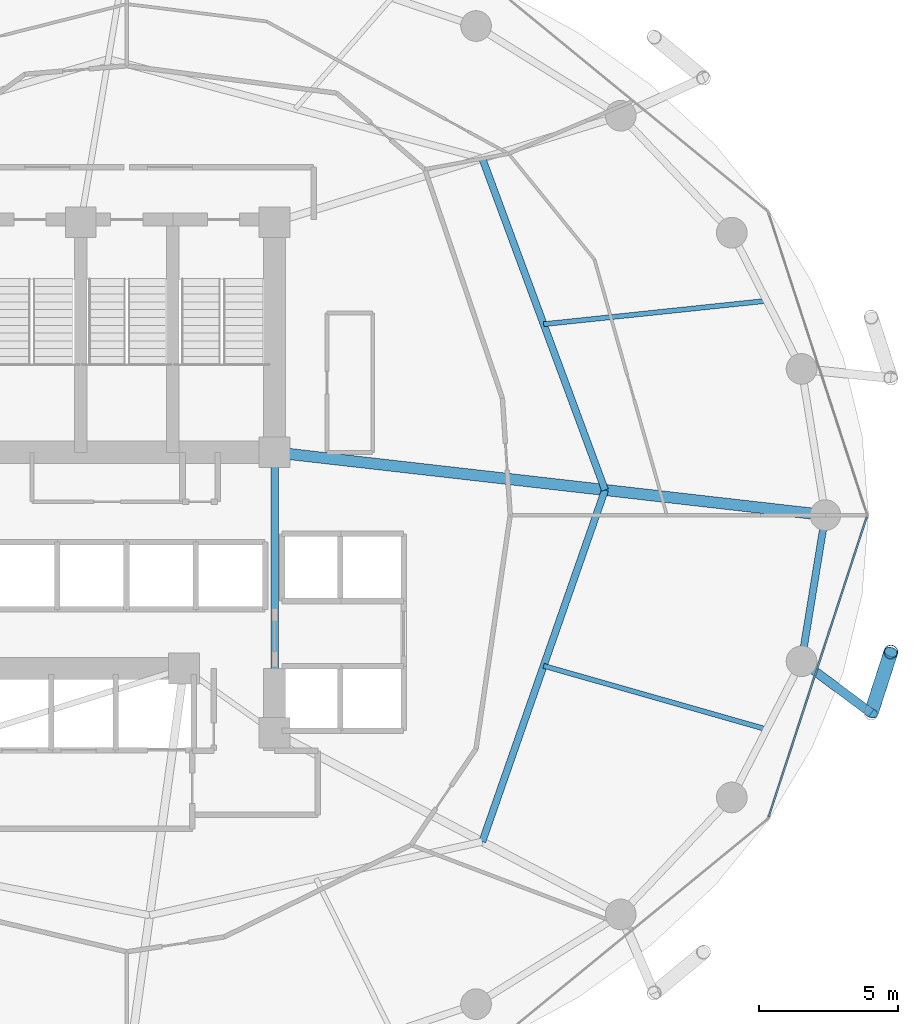
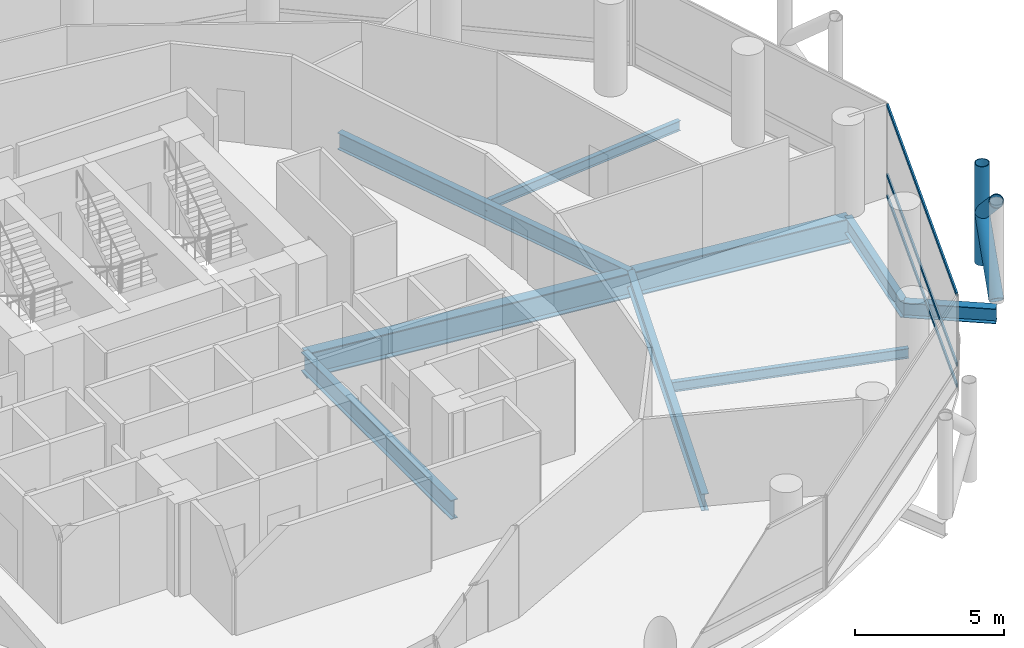
# One storey, part 11 of 25: 8 beams, 6 members, 1 element without a shape of its own.
"""IFC4 building model written with IfcOpenShell, lengths in metres."""

from ifc_helpers import new_model, si_unit, direction, frame, origin, origin_2d, place, context, subcontext, project, spatial, hollow_rectangle, hollow_circle, i_section, extrude, material, layer, layer_set, material_profile, profile_set, type_object, element, aggregate, save


model = new_model("IFC4")

# Units and contexts
model_context = context("Model", 3, precision=1e-05, world=origin(), true_north=direction((0.0, 1.0)))
body_context = subcontext(model_context, "Body", "Model", "MODEL_VIEW")
ifc_project = project(units=[si_unit("LENGTHUNIT", "METRE"), si_unit("AREAUNIT", "SQUARE_METRE"), si_unit("VOLUMEUNIT", "CUBIC_METRE"), si_unit("PLANEANGLEUNIT", "RADIAN"), si_unit("MASSUNIT", "GRAM", prefix="KILO")], contexts=[model_context])

# Site, building, storey
site_placement = place(None, origin())
site = spatial("IfcSite", under=ifc_project, at=site_placement, CompositionType="ELEMENT")
building_placement = place(site_placement, origin())
building = spatial("IfcBuilding", under=site, at=building_placement, Name="Nuhasar Tower", CompositionType="ELEMENT")
storey_placement = place(building_placement, frame((0.0, 0.0, 49.35009765625)))
storey = spatial("IfcBuildingStorey", under=building, at=storey_placement, Name="L11", CompositionType="ELEMENT", Elevation=49.35009765625)

# Beams
ifc_material_1 = material(Name="Steel S355", Category="steel")
ifc_material_profile_1 = material_profile(ifc_material_1, i_section(OverallWidth=0.25390625, OverallDepth=0.68408203125, WebThickness=0.012451171875, FlangeThickness=0.018798828125, at=origin_2d()), Name="W27X94")
ifc_profile_set_1 = profile_set([ifc_material_profile_1], Name="Steel S355")
beam_type_1 = type_object("IfcBeamType", Name="BM-INRING-W27X94", PredefinedType="BEAM", material=ifc_profile_set_1)
beam_1_placement = place(storey_placement, frame((51.748046875, 15.089111328125, -0.60205078125), z_axis=(0.329554049858, 0.944136710558, 0.0), x_axis=(-0.944136710558, 0.329554049858, 0.0)))
element("IfcBeam", 1, at=beam_1_placement, inside=storey, type_object=beam_type_1, Name="L11 Inner Header Beam 03", PredefinedType="BEAM", context=body_context, shape_type="SweptSolid", body=[
    extrude(i_section(OverallWidth=0.25390625, OverallDepth=0.68408203125, WebThickness=0.012451171875, FlangeThickness=0.018798828125, at=origin_2d()), origin(), (0.0, 0.0, 1.0), 13.35693359375),
])
beam_2_placement = place(storey_placement, frame((56.14990234375, 27.699951171875, -0.60205078125), z_axis=(-0.34715757476, 0.937806812881, 0.0), x_axis=(-0.937806812881, -0.34715757476, 0.0)))
element("IfcBeam", 2, at=beam_2_placement, inside=storey, type_object=beam_type_1, Name="L11 Inner Header Beam 04", PredefinedType="BEAM", context=body_context, shape_type="SweptSolid", body=[
    extrude(i_section(OverallWidth=0.25390625, OverallDepth=0.68408203125, WebThickness=0.012451171875, FlangeThickness=0.018798828125, at=origin_2d()), origin(), (0.0, 0.0, 1.0), 12.6796875),
])
ifc_material_profile_2 = material_profile(ifc_material_1, i_section(OverallWidth=0.177978515625, OverallDepth=0.406005859375, WebThickness=0.0078125, FlangeThickness=0.0126953125, at=origin_2d()), Name="W16X40")
ifc_profile_set_2 = profile_set([ifc_material_profile_2], Name="Steel S355")
beam_type_2 = type_object("IfcBeamType", Name="BM-JST-W16X40", PredefinedType="JOIST", material=ifc_profile_set_2)
beam_3_placement = place(storey_placement, frame((53.948974609375, 21.39501953125, -0.463134765625), z_axis=(0.961730884496, -0.273995813484, 0.0), x_axis=(0.273995813484, 0.961730884496, 0.0)))
element("IfcBeam", 3, at=beam_3_placement, inside=storey, type_object=beam_type_2, Name="L11 Secondary Floor Joist 03", PredefinedType="JOIST", context=body_context, shape_type="SweptSolid", body=[
    extrude(i_section(OverallWidth=0.177978515625, OverallDepth=0.406005859375, WebThickness=0.0078125, FlangeThickness=0.0126953125, at=origin_2d()), origin(), (0.0, 0.0, 1.0), 8.314208984375),
])
beam_4_placement = place(storey_placement, frame((53.948974609375, 33.64501953125, -0.463134765625), z_axis=(0.994554594377, 0.104216883485, 0.0), x_axis=(-0.104216883485, 0.994554594377, 0.0)))
element("IfcBeam", 4, at=beam_4_placement, inside=storey, type_object=beam_type_2, Name="L11 Secondary Floor Joist 04", PredefinedType="JOIST", context=body_context, shape_type="SweptSolid", body=[
    extrude(i_section(OverallWidth=0.177978515625, OverallDepth=0.406005859375, WebThickness=0.0078125, FlangeThickness=0.0126953125, at=origin_2d()), origin(), (0.0, 0.0, 1.0), 8.039794921875),
])
ifc_material_profile_3 = material_profile(ifc_material_1, i_section(OverallWidth=0.26611328125, OverallDepth=0.779052734375, WebThickness=0.0166015625, FlangeThickness=0.030029296875, at=origin_2d()), Name="W30X148")
ifc_profile_set_3 = profile_set([ifc_material_profile_3], Name="Steel S355")
beam_type_3 = type_object("IfcBeamType", Name="BM-RAD-W30X148", PredefinedType="BEAM", material=ifc_profile_set_3)
beam_5_placement = place(storey_placement, frame((44.300048828125, 19.0, -0.649169921875), z_axis=(0.0, 1.0, 0.0), x_axis=(-1.0, 0.0, 0.0)))
element("IfcBeam", 5, at=beam_5_placement, inside=storey, type_object=beam_type_3, Name="L11 Core Ring Girder 3", PredefinedType="BEAM", context=body_context, shape_type="SweptSolid", body=[
    extrude(i_section(OverallWidth=0.26611328125, OverallDepth=0.779052734375, WebThickness=0.0166015625, FlangeThickness=0.030029296875, at=origin_2d()), origin(), (0.0, 0.0, 1.0), 10.050048828125),
])
ifc_material_profile_4 = material_profile(ifc_material_1, i_section(OverallWidth=0.256103515625, OverallDepth=0.693115234375, WebThickness=0.014404296875, FlangeThickness=0.023681640625, at=origin_2d()), Name="W27X114")
ifc_profile_set_4 = profile_set([ifc_material_profile_4], Name="Steel S355")
beam_type_4 = type_object("IfcBeamType", Name="BM-RING-W27X114", PredefinedType="SPANDREL", material=ifc_profile_set_4)
beam_6_placement = place(storey_placement, frame((63.196044921875, 21.55908203125, -0.606201171875), z_axis=(0.160826635486, 0.986982671235, 0.0), x_axis=(-0.986982671235, 0.160826635486, 0.0)))
element("IfcBeam", 6, at=beam_6_placement, inside=storey, type_object=beam_type_4, Name="L11 Perimeter Ring Spandrel 24", PredefinedType="SPANDREL", context=body_context, shape_type="SweptSolid", body=[
    extrude(i_section(OverallWidth=0.256103515625, OverallDepth=0.693115234375, WebThickness=0.014404296875, FlangeThickness=0.023681640625, at=origin_2d()), origin(), (0.0, 0.0, 1.0), 5.31005859375),
])
ifc_material_profile_5 = material_profile(ifc_material_1, i_section(OverallWidth=0.323974609375, OverallDepth=0.611083984375, WebThickness=0.0126953125, FlangeThickness=0.01904296875, at=origin_2d()), Name="W24X104")
ifc_profile_set_5 = profile_set([ifc_material_profile_5], Name="Steel S355")
beam_type_5 = type_object("IfcBeamType", Name="BM-TIE-W24X104", PredefinedType="BEAM", material=ifc_profile_set_5)
beam_7_placement = place(storey_placement, frame((63.196044921875, 21.55908203125, -0.565185546875), z_axis=(0.802113478067, -0.597171640572, 0.0), x_axis=(0.597171640572, 0.802113478067, 0.0)))
element("IfcBeam", 7, at=beam_7_placement, inside=storey, type_object=beam_type_5, Name="L11 Exoskeleton Node Tie Beam 12", PredefinedType="BEAM", context=body_context, shape_type="SweptSolid", body=[
    extrude(i_section(OverallWidth=0.323974609375, OverallDepth=0.611083984375, WebThickness=0.0126953125, FlangeThickness=0.01904296875, at=origin_2d()), origin(), (0.0, 0.0, 1.0), 3.111572265625),
])
ifc_material_2 = material(Name="Steel S460", Category="steel")
ifc_material_profile_6 = material_profile(ifc_material_2, i_section(OverallWidth=0.40087890625, OverallDepth=1.010009765625, WebThickness=0.023681640625, FlangeThickness=0.0419921875, at=origin_2d()), Name="W40X297")
ifc_profile_set_6 = profile_set([ifc_material_profile_6], Name="Steel S460")
beam_type_6 = type_object("IfcBeamType", Name="BM-XFER-W40X297", PredefinedType="USERDEFINED", material=ifc_profile_set_6)
beam_8_placement = place(storey_placement, frame((44.300048828125, 29.050048828125, -0.76513671875), z_axis=(0.993573147212, -0.113191877531, 0.0), x_axis=(0.113191877531, 0.993573147212, 0.0)))
element("IfcBeam", 8, at=beam_8_placement, inside=storey, type_object=beam_type_6, Name="L11 Radial Floor Girder 04", ObjectType="GIRDER", PredefinedType="USERDEFINED", context=body_context, shape_type="SweptSolid", body=[
    extrude(i_section(OverallWidth=0.40087890625, OverallDepth=1.010009765625, WebThickness=0.023681640625, FlangeThickness=0.0419921875, at=origin_2d()), origin(), (0.0, 0.0, 1.0), 19.877685546875),
])

# Curtain wall, members
ifc_material_3 = material(Name="Aluminium 6063-T6", Category="aluminium")
ifc_layer = layer(ifc_material_3, 0.199951171875)
ifc_layer_set = layer_set([ifc_layer], Name="Aluminium 6063-T6")
curtain_wall_type = type_object("IfcCurtainWallType", Name="CW-Z1-OFF", PredefinedType="NOTDEFINED", material=ifc_layer_set)
curtain_wall_placement = place(storey_placement, origin())
curtain_wall = element("IfcCurtainWall", 9, at=curtain_wall_placement, inside=storey, type_object=curtain_wall_type, Name="L11 Unitised Curtain Wall 12", PredefinedType="NOTDEFINED")
ifc_material_profile_7 = material_profile(ifc_material_3, hollow_rectangle(XDim=0.06494140625, YDim=0.14990234375, WallThickness=0.00439453125, at=origin_2d()), Name="CWT-2")
ifc_profile_set_7 = profile_set([ifc_material_profile_7], Name="Aluminium 6063-T6")
member_type_1 = type_object("IfcMemberType", Name="CW-TRN-S2", PredefinedType="USERDEFINED", material=ifc_profile_set_7)
member_1_placement = place(storey_placement, frame((62.022216796875, 15.981689453125, 0.032470703125), z_axis=(0.310818687697, 0.950469222741, 0.0), x_axis=(-0.950469222741, 0.310818687697, 0.0)))
member_1 = element("IfcMember", 10, at=member_1_placement, type_object=member_type_1, Name="CW-Z1 transom 1.1", ObjectType="TRANSOM", PredefinedType="USERDEFINED", context=body_context, shape_type="SweptSolid", body=[
    extrude(hollow_rectangle(XDim=0.06494140625, YDim=0.14990234375, WallThickness=0.00439453125, at=origin_2d()), origin(), (0.0, 0.0, 1.0), 11.317138671875),
])
member_2_placement = place(storey_placement, frame((62.022216796875, 15.981689453125, 0.89990234375), z_axis=(0.310818687697, 0.950469222741, 0.0), x_axis=(-0.950469222741, 0.310818687697, 0.0)))
member_2 = element("IfcMember", 11, at=member_2_placement, type_object=member_type_1, Name="CW-Z1 transom 1.2", ObjectType="TRANSOM", PredefinedType="USERDEFINED", context=body_context, shape_type="SweptSolid", body=[
    extrude(hollow_rectangle(XDim=0.06494140625, YDim=0.14990234375, WallThickness=0.00439453125, at=origin_2d()), origin(), (0.0, 0.0, 1.0), 11.317138671875),
])
member_3_placement = place(storey_placement, frame((62.022216796875, 15.981689453125, 3.75732421875), z_axis=(0.310818687697, 0.950469222741, 0.0), x_axis=(-0.950469222741, 0.310818687697, 0.0)))
member_3 = element("IfcMember", 12, at=member_3_placement, type_object=member_type_1, Name="CW-Z1 transom 1.3", ObjectType="TRANSOM", PredefinedType="USERDEFINED", context=body_context, shape_type="SweptSolid", body=[
    extrude(hollow_rectangle(XDim=0.06494140625, YDim=0.14990234375, WallThickness=0.00439453125, at=origin_2d()), origin(), (0.0, 0.0, 1.0), 11.317138671875),
])
aggregate(curtain_wall, [member_1, member_2, member_3])

# Members
ifc_material_profile_8 = material_profile(ifc_material_2, hollow_circle(Radius=0.25390625, WallThickness=0.025390625, at=origin_2d()), Name="HSS508X25.4")
ifc_profile_set_8 = profile_set([ifc_material_profile_8], Name="Steel S460")
member_type_2 = type_object("IfcMemberType", Name="EXO-BRONZE-508", PredefinedType="BRACE", material=ifc_profile_set_8)
member_4_placement = place(storey_placement, frame((66.39990234375, 21.889892578125, 0.0), z_axis=(0.0, 0.0, 1.0), x_axis=(1.0, 0.0, 0.0)))
element("IfcMember", 13, at=member_4_placement, inside=storey, type_object=member_type_2, Name="L11 Exoskeleton Chord Column EC-12B", PredefinedType="BRACE", context=body_context, shape_type="SweptSolid", body=[
    extrude(hollow_circle(Radius=0.25390625, WallThickness=0.025390625, at=origin_2d()), origin(), (0.0, 0.0, 1.0), 4.0498046875),
])
for number, where, z_axis, x_axis, name in (
    (14, (65.69189453125, 19.700927734375, 0.0), (0.231011836313, 0.714224870475, 0.660693851854), (-0.951468282519, 0.307746823478, 0.0), "L11 Bronze Diagrid Brace W1-12"),
    (15, (66.39990234375, 21.889892578125, 2.02490234375), (-0.231011836313, -0.714224870475, 0.660693851854), (0.951468282519, -0.307746823478, 0.0), "L11 Bronze Diagrid Brace W2-12"),
):
    element("IfcMember", number, at=place(storey_placement, frame(where, z_axis=z_axis, x_axis=x_axis)), inside=storey, type_object=member_type_2, Name=name, PredefinedType="BRACE", context=body_context, shape_type="SweptSolid", body=[
        extrude(hollow_circle(Radius=0.25390625, WallThickness=0.025390625, at=origin_2d()), origin(), (0.0, 0.0, 1.0), 3.064697265625),
    ])

save(model, "model.ifc")
